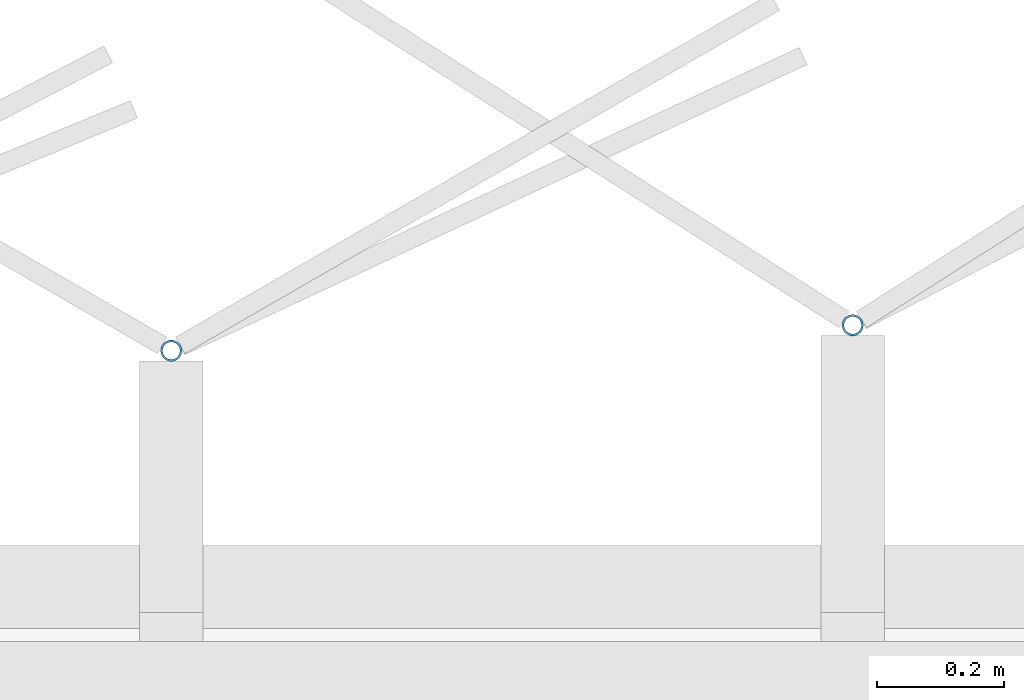
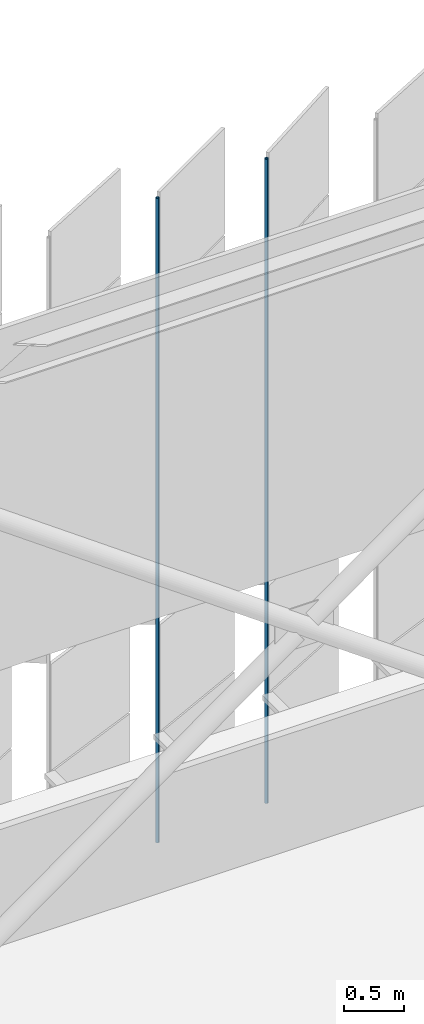
# One storey, part 377 of 483: 2 discrete accessories.
"""IFC4 building model written with IfcOpenShell, lengths in metres."""

from ifc_helpers import new_model, si_unit, direction, frame, origin, origin_2d, place, context, subcontext, project, spatial, hollow_circle, extrude, material, material_profile, profile_set, type_object, element, save


model = new_model("IFC4")

# Units and contexts
model_context = context("Model", 3, precision=1e-05, world=origin(), true_north=direction((0.0, 1.0)))
body_context = subcontext(model_context, "Body", "Model", "MODEL_VIEW")
ifc_project = project(units=[si_unit("LENGTHUNIT", "METRE"), si_unit("AREAUNIT", "SQUARE_METRE"), si_unit("VOLUMEUNIT", "CUBIC_METRE"), si_unit("PLANEANGLEUNIT", "RADIAN"), si_unit("MASSUNIT", "GRAM", prefix="KILO")], contexts=[model_context])

# Site, building, storey
site_placement = place(None, origin())
site = spatial("IfcSite", under=ifc_project, at=site_placement, CompositionType="ELEMENT")
building_placement = place(site_placement, origin())
building = spatial("IfcBuilding", under=site, at=building_placement, Name="Parallax Yard Mobility Hub", CompositionType="ELEMENT")
storey_placement = place(building_placement, frame((0.0, 0.0, 13.199951171875)))
storey = spatial("IfcBuildingStorey", under=building, at=storey_placement, Name="L04", CompositionType="ELEMENT", Elevation=13.199951171875)

# Discrete accessories
ifc_material = material(Name="Steel ASTM A500 Gr C, hot-dip galvanised", Category="steel")
ifc_material_profile = material_profile(ifc_material, hollow_circle(Radius=0.016845703125, WallThickness=0.003173828125, at=origin_2d()), Name="CHS 33.7x3.2")
ifc_profile_set = profile_set([ifc_material_profile], Name="Steel ASTM A500 Gr C, hot-dip galvanised")
discrete_accessory_type = type_object("IfcDiscreteAccessoryType", Name="Hinge post CHS 33.7x3.2", PredefinedType="BRACKET", material=ifc_profile_set)
for number, where, z_axis, x_axis, name in (
    (1, (161.786376953125, 142.950927734375, 0.0), (0.0, 0.0, 1.0), (1.0, 0.0, 0.0), "Hinge post bay 52.4 level L04"),
    (2, (160.71484375, 142.910888671875, 0.0), (0.0, 0.0, 1.0), (1.0, 0.0, 0.0), "Hinge post bay 52.5 level L04"),
):
    element("IfcDiscreteAccessory", number, at=place(storey_placement, frame(where, z_axis=z_axis, x_axis=x_axis)), inside=storey, type_object=discrete_accessory_type, Name=name, PredefinedType="BRACKET", context=body_context, shape_type="SweptSolid", body=[
        extrude(hollow_circle(Radius=0.016845703125, WallThickness=0.003173828125, at=origin_2d()), origin(), (0.0, 0.0, 1.0), 6.550048828125),
    ])

save(model, "model.ifc")
